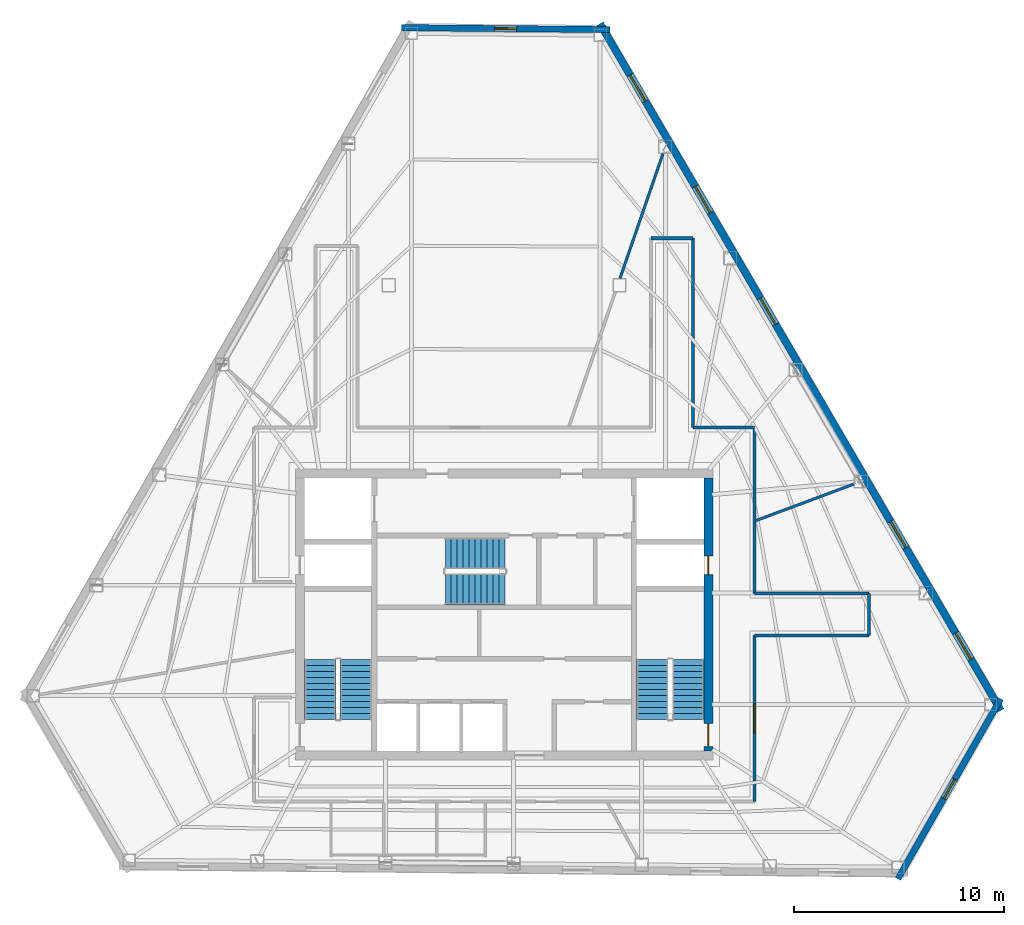
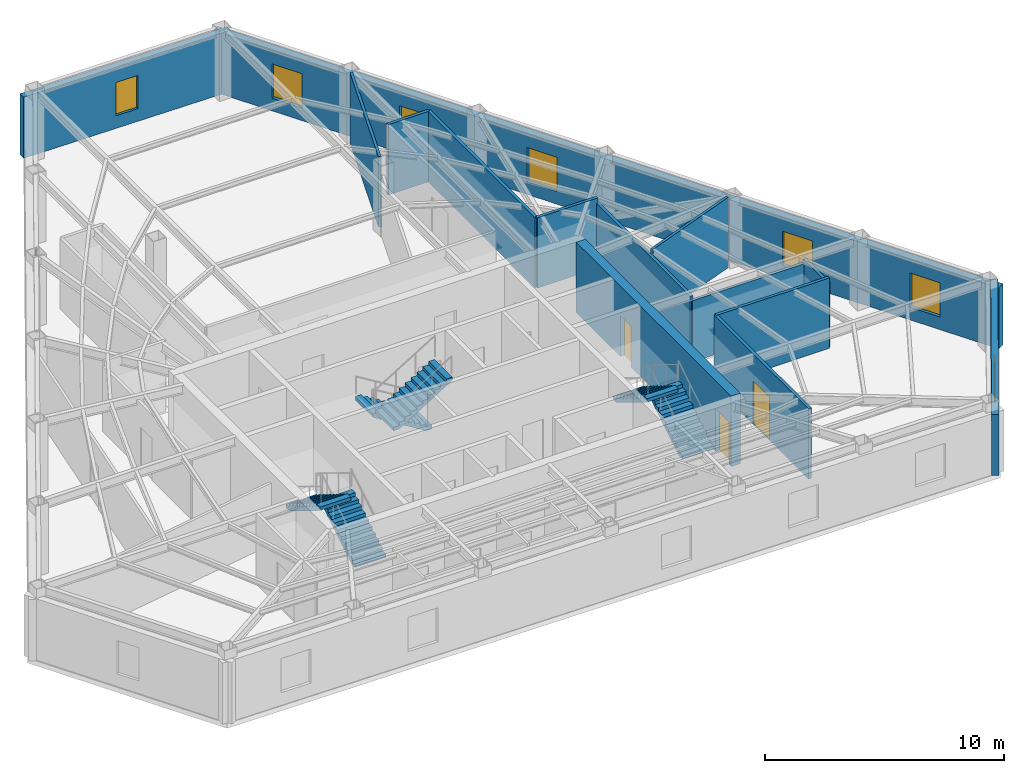
# One storey, part 9 of 10: 14 walls, 7 windows, 6 stair flights, 3 doors, 10 openings, 3 elements without a shape of their own.
"""IFC4 building model written with IfcOpenShell, lengths in metres."""

from ifc_helpers import new_model, si_unit, direction, frame, frame_2d, origin, place, context, subcontext, project, spatial, polyline, rectangle, outline, extrude, material, layer, layer_set, type_object, element, fill, aggregate, save


model = new_model("IFC4")

# Units and contexts
model_context = context("Model", 3, precision=1e-05, world=origin(), true_north=direction((0.0, 1.0)))
body_context = subcontext(model_context, "Body", "Model", "MODEL_VIEW")
ifc_project = project(units=[si_unit("LENGTHUNIT", "METRE"), si_unit("AREAUNIT", "SQUARE_METRE"), si_unit("VOLUMEUNIT", "CUBIC_METRE"), si_unit("PLANEANGLEUNIT", "RADIAN"), si_unit("MASSUNIT", "GRAM", prefix="KILO")], contexts=[model_context])

# Site, building, storey
site_placement = place(None, origin())
site = spatial("IfcSite", under=ifc_project, at=site_placement, CompositionType="ELEMENT")
building_placement = place(site_placement, origin())
building = spatial("IfcBuilding", under=site, at=building_placement, Name="Kavelnor Concourse Tower", CompositionType="ELEMENT")
storey_placement = place(building_placement, frame((0.0, 0.0, 180.39990234375)))
storey = spatial("IfcBuildingStorey", under=building, at=storey_placement, Name="L45", CompositionType="ELEMENT", Elevation=180.39990234375)

# Wall, openings, doors
ifc_material_1 = material(Name="Concrete C50/60", Category="concrete")
ifc_layer_1 = layer(ifc_material_1, 0.43994140625, Name="Concrete C50/60")
ifc_layer_set_1 = layer_set([ifc_layer_1], Name="Concrete C50/60")
wall_type_1 = type_object("IfcWallType", Name="WL-CORE-Z3-440", PredefinedType="SOLIDWALL", material=ifc_layer_set_1)
wall_1_placement = place(storey_placement, frame((47.739990234375, 9.60009765625, 0.0), z_axis=(0.0, 0.0, 1.0), x_axis=(0.0, 1.0, 0.0)))
wall_1 = element("IfcWall", 1, at=wall_1_placement, inside=storey, type_object=wall_type_1, Name="L45 Central Core East Shear Wall", PredefinedType="SOLIDWALL", context=body_context, shape_type="SweptSolid", body=[
    extrude(rectangle(XDim=13.0, YDim=0.43994140625, at=frame_2d((6.5, 0.0))), origin(), (0.0, 0.0, 1.0), 3.60009765625),
])
opening_1_placement = place(wall_1_placement, frame((0.199951171875, 0.0, 0.0)))
opening_1 = element("IfcOpeningElement", 2, at=opening_1_placement, cuts=wall_1, Name="Opening FD-110", PredefinedType="OPENING", context=body_context, shape_type="SweptSolid", body=[
    extrude(rectangle(XDim=1.10009765625, YDim=2.14990234375, at=frame_2d((0.550048828125, 1.074951171875))), frame((0.0, 0.22998046875, 0.0), z_axis=(0.0, -1.0, 0.0), x_axis=(1.0, 0.0, 0.0)), (0.0, 0.0, 1.0), 0.4599609375),
])
opening_2_placement = place(wall_1_placement, frame((8.39990234375, 0.0, 0.0)))
opening_2 = element("IfcOpeningElement", 3, at=opening_2_placement, cuts=wall_1, Name="Opening FD-090", PredefinedType="OPENING", context=body_context, shape_type="SweptSolid", body=[
    extrude(rectangle(XDim=0.89990234375, YDim=2.10009765625, at=frame_2d((0.449951171875, 1.050048828125))), frame((0.0, 0.22998046875, 0.0), z_axis=(0.0, -1.0, 0.0), x_axis=(1.0, 0.0, 0.0)), (0.0, 0.0, 1.0), 0.4599609375),
])
ifc_material_2 = material(Name="Steel Grade 350", Category="steel")
door_type_1 = type_object("IfcDoorType", Name="DR-RISER-FIRE-900", OperationType="NOTDEFINED", PredefinedType="DOOR", material=ifc_material_2)
door_1_placement = place(opening_2_placement, origin())
door_1 = element("IfcDoor", 4, at=door_1_placement, inside=storey, type_object=door_type_1, Name="L45 East Riser Access Door", OperationType="SINGLE_SWING_LEFT", OverallHeight=2.10009765625, OverallWidth=0.89990234375, PredefinedType="DOOR", context=body_context, shape_type="SweptSolid", body=[
    extrude(rectangle(XDim=0.89990234375, YDim=2.10009765625, at=frame_2d((0.449951171875, 1.050048828125))), frame((0.0, 0.02490234375, 0.0), z_axis=(0.0, -1.0, 0.0), x_axis=(1.0, 0.0, 0.0)), (0.0, 0.0, 1.0), 0.050048828125),
])
fill(opening_2, door_1)
door_type_2 = type_object("IfcDoorType", Name="DR-STAIR-FIRE-1100", OperationType="NOTDEFINED", PredefinedType="DOOR", material=ifc_material_2)
door_2_placement = place(opening_1_placement, origin())
door_2 = element("IfcDoor", 5, at=door_2_placement, inside=storey, type_object=door_type_2, Name="L45 Stair ST2 Fire Door", OperationType="SINGLE_SWING_RIGHT", OverallHeight=2.14990234375, OverallWidth=1.10009765625, PredefinedType="DOOR", context=body_context, shape_type="SweptSolid", body=[
    extrude(rectangle(XDim=1.10009765625, YDim=2.14990234375, at=frame_2d((0.550048828125, 1.074951171875))), frame((0.0, 0.02490234375, 0.0), z_axis=(0.0, -1.0, 0.0), x_axis=(1.0, 0.0, 0.0)), (0.0, 0.0, 1.0), 0.050048828125),
])
fill(opening_1, door_2)

# Wall, opening, window
ifc_material_3 = material(Name="Buff ironspot clay face brick masonry", Category="masonry")
ifc_layer_2 = layer(ifc_material_3, 0.300048828125, Name="Buff ironspot clay face brick masonry")
ifc_layer_set_2 = layer_set([ifc_layer_2], Name="Buff ironspot clay face brick masonry")
wall_type_2 = type_object("IfcWallType", Name="WL-EXT-BUFF-BRICK-FOLD-300", PredefinedType="STANDARD", material=ifc_layer_set_2)
wall_2_placement = place(storey_placement, frame((33.09326171875, 44.08447265625, 0.0), z_axis=(0.0, 0.0, 1.0), x_axis=(0.999957994936, -0.009165607679, 0.0)))
wall_2 = element("IfcWall", 6, at=wall_2_placement, inside=storey, type_object=wall_type_2, Name="L45 Exterior Brick Facade Wall E0", PredefinedType="STANDARD", context=body_context, shape_type="SweptSolid", body=[
    extrude(rectangle(XDim=9.962158203125, YDim=0.300048828125, at=frame_2d((4.98095703125, 0.0))), origin(), (0.0, 0.0, 1.0), 3.132080078125),
])
opening_3_placement = place(wall_2_placement, frame((4.4560546875, 0.0, 0.64990234375)))
opening_3 = element("IfcOpeningElement", 7, at=opening_3_placement, cuts=wall_2, Name="Opening W-06", PredefinedType="OPENING", context=body_context, shape_type="SweptSolid", body=[
    extrude(rectangle(XDim=1.050048828125, YDim=1.699951171875, at=frame_2d((0.52490234375, 0.85009765625))), frame((0.0, 0.16015625, 0.0), z_axis=(0.0, -1.0, 0.0), x_axis=(1.0, 0.0, 0.0)), (0.0, 0.0, 1.0), 0.320068359375),
])
ifc_material_4 = material(Name="Double low-E argon insulated glazing", Category="glass")
window_type_1 = type_object("IfcWindowType", Name="WIN-FOLD-1050", PartitioningType="SINGLE_PANEL", PredefinedType="WINDOW", material=ifc_material_4)
window_1_placement = place(opening_3_placement, origin())
window_1 = element("IfcWindow", 8, at=window_1_placement, inside=storey, type_object=window_type_1, Name="L45 Chamfer-Fold Facet Window C0", OverallHeight=1.699951171875, OverallWidth=1.050048828125, PartitioningType="SINGLE_PANEL", PredefinedType="WINDOW", context=body_context, shape_type="SweptSolid", body=[
    extrude(rectangle(XDim=1.050048828125, YDim=1.699951171875, at=frame_2d((0.52490234375, 0.85009765625))), frame((0.0, 0.030029296875, 0.0), z_axis=(0.0, -1.0, 0.0), x_axis=(1.0, 0.0, 0.0)), (0.0, 0.0, 1.0), 0.06005859375),
])
fill(opening_3, window_1)

wall_3_placement = place(storey_placement, frame((61.6787109375, 12.079345703125, 0.0), z_axis=(0.0, 0.0, 1.0), x_axis=(-0.495989996522, -0.8683282348, 0.0)))
wall_3 = element("IfcWall", 9, at=wall_3_placement, inside=storey, type_object=wall_type_2, Name="L45 Exterior Brick Facade Wall E4", PredefinedType="STANDARD", context=body_context, shape_type="SweptSolid", body=[
    extrude(rectangle(XDim=9.885986328125, YDim=0.300048828125, at=frame_2d((4.94287109375, 0.0))), origin(), (0.0, 0.0, 1.0), 3.132080078125),
])
opening_4_placement = place(wall_3_placement, frame((4.41796875, 0.0, 0.64990234375)))
opening_4 = element("IfcOpeningElement", 10, at=opening_4_placement, cuts=wall_3, Name="Opening W-06", PredefinedType="OPENING", context=body_context, shape_type="SweptSolid", body=[
    extrude(rectangle(XDim=1.050048828125, YDim=1.699951171875, at=frame_2d((0.52490234375, 0.85009765625))), frame((0.0, 0.16015625, 0.0), z_axis=(0.0, -1.0, 0.0), x_axis=(1.0, 0.0, 0.0)), (0.0, 0.0, 1.0), 0.320068359375),
])
window_2_placement = place(opening_4_placement, origin())
window_2 = element("IfcWindow", 11, at=window_2_placement, inside=storey, type_object=window_type_1, Name="L45 Chamfer-Fold Facet Window C2", OverallHeight=1.699951171875, OverallWidth=1.050048828125, PartitioningType="SINGLE_PANEL", PredefinedType="WINDOW", context=body_context, shape_type="SweptSolid", body=[
    extrude(rectangle(XDim=1.050048828125, YDim=1.699951171875, at=frame_2d((0.52490234375, 0.85009765625))), frame((0.0, 0.030029296875, 0.0), z_axis=(0.0, -1.0, 0.0), x_axis=(1.0, 0.0, 0.0)), (0.0, 0.0, 1.0), 0.06005859375),
])
fill(opening_4, window_2)

# Wall, openings, windows
ifc_material_5 = material(Name="Red-ochre clay face brick masonry", Category="masonry")
ifc_layer_3 = layer(ifc_material_5, 0.35009765625, Name="Red-ochre clay face brick masonry")
ifc_layer_set_3 = layer_set([ifc_layer_3], Name="Red-ochre clay face brick masonry")
wall_type_3 = type_object("IfcWallType", Name="WL-EXT-RED-BRICK-PIER-350", PredefinedType="STANDARD", material=ifc_layer_set_3)
wall_4_placement = place(storey_placement, frame((42.57470703125, 44.271728515625, 0.0), z_axis=(0.0, 0.0, 1.0), x_axis=(0.503934681705, -0.863741764982, 0.0)))
wall_4 = element("IfcWall", 12, at=wall_4_placement, inside=storey, type_object=wall_type_3, Name="L45 Exterior Brick Facade Wall E5", PredefinedType="STANDARD", context=body_context, shape_type="SweptSolid", body=[
    extrude(rectangle(XDim=37.9150390625, YDim=0.35009765625, at=frame_2d((18.95751953125, 0.0))), origin(), (0.0, 0.0, 1.0), 3.132080078125),
])
opening_5_placement = place(wall_4_placement, frame((33.632568359375, 0.0, 0.64990234375)))
opening_5 = element("IfcOpeningElement", 13, at=opening_5_placement, cuts=wall_4, Name="Opening W-03", PredefinedType="OPENING", context=body_context, shape_type="SweptSolid", body=[
    extrude(rectangle(XDim=1.449951171875, YDim=1.75, at=frame_2d((0.72509765625, 0.875))), frame((0.0, 0.18505859375, 0.0), z_axis=(0.0, -1.0, 0.0), x_axis=(1.0, 0.0, 0.0)), (0.0, 0.0, 1.0), 0.3701171875),
])
opening_6_placement = place(wall_4_placement, frame((27.4716796875, 0.0, 0.64990234375)))
opening_6 = element("IfcOpeningElement", 14, at=opening_6_placement, cuts=wall_4, Name="Opening W-03", PredefinedType="OPENING", context=body_context, shape_type="SweptSolid", body=[
    extrude(rectangle(XDim=1.449951171875, YDim=1.75, at=frame_2d((0.72509765625, 0.875))), frame((0.0, 0.18505859375, 0.0), z_axis=(0.0, -1.0, 0.0), x_axis=(1.0, 0.0, 0.0)), (0.0, 0.0, 1.0), 0.3701171875),
])
opening_7_placement = place(wall_4_placement, frame((15.14990234375, 0.0, 0.64990234375)))
opening_7 = element("IfcOpeningElement", 15, at=opening_7_placement, cuts=wall_4, Name="Opening W-03", PredefinedType="OPENING", context=body_context, shape_type="SweptSolid", body=[
    extrude(rectangle(XDim=1.449951171875, YDim=1.75, at=frame_2d((0.72509765625, 0.875))), frame((0.0, 0.18505859375, 0.0), z_axis=(0.0, -1.0, 0.0), x_axis=(1.0, 0.0, 0.0)), (0.0, 0.0, 1.0), 0.3701171875),
])
opening_8_placement = place(wall_4_placement, frame((8.989013671875, 0.0, 0.64990234375)))
opening_8 = element("IfcOpeningElement", 16, at=opening_8_placement, cuts=wall_4, Name="Opening W-03", PredefinedType="OPENING", context=body_context, shape_type="SweptSolid", body=[
    extrude(rectangle(XDim=1.449951171875, YDim=1.75, at=frame_2d((0.72509765625, 0.875))), frame((0.0, 0.18505859375, 0.0), z_axis=(0.0, -1.0, 0.0), x_axis=(1.0, 0.0, 0.0)), (0.0, 0.0, 1.0), 0.3701171875),
])
opening_9_placement = place(wall_4_placement, frame((2.828125, 0.0, 0.64990234375)))
opening_9 = element("IfcOpeningElement", 17, at=opening_9_placement, cuts=wall_4, Name="Opening W-03", PredefinedType="OPENING", context=body_context, shape_type="SweptSolid", body=[
    extrude(rectangle(XDim=1.449951171875, YDim=1.75, at=frame_2d((0.72509765625, 0.875))), frame((0.0, 0.18505859375, 0.0), z_axis=(0.0, -1.0, 0.0), x_axis=(1.0, 0.0, 0.0)), (0.0, 0.0, 1.0), 0.3701171875),
])
window_type_2 = type_object("IfcWindowType", Name="WIN-PIER-Z3-1500", PartitioningType="SINGLE_PANEL", PredefinedType="WINDOW", material=ifc_material_4)
window_3_placement = place(opening_5_placement, origin())
window_3 = element("IfcWindow", 18, at=window_3_placement, inside=storey, type_object=window_type_2, Name="L45 Deep-Set Brick Pier Window F2-B0", OverallHeight=1.75, OverallWidth=1.449951171875, PartitioningType="SINGLE_PANEL", PredefinedType="WINDOW", context=body_context, shape_type="SweptSolid", body=[
    extrude(rectangle(XDim=1.449951171875, YDim=1.75, at=frame_2d((0.72509765625, 0.875))), frame((0.0, 0.030029296875, 0.0), z_axis=(0.0, -1.0, 0.0), x_axis=(1.0, 0.0, 0.0)), (0.0, 0.0, 1.0), 0.06005859375),
])
fill(opening_5, window_3)
window_4_placement = place(opening_6_placement, origin())
window_4 = element("IfcWindow", 19, at=window_4_placement, inside=storey, type_object=window_type_2, Name="L45 Deep-Set Brick Pier Window F2-B1", OverallHeight=1.75, OverallWidth=1.449951171875, PartitioningType="SINGLE_PANEL", PredefinedType="WINDOW", context=body_context, shape_type="SweptSolid", body=[
    extrude(rectangle(XDim=1.449951171875, YDim=1.75, at=frame_2d((0.72509765625, 0.875))), frame((0.0, 0.030029296875, 0.0), z_axis=(0.0, -1.0, 0.0), x_axis=(1.0, 0.0, 0.0)), (0.0, 0.0, 1.0), 0.06005859375),
])
fill(opening_6, window_4)
window_5_placement = place(opening_7_placement, origin())
window_5 = element("IfcWindow", 20, at=window_5_placement, inside=storey, type_object=window_type_2, Name="L45 Deep-Set Brick Pier Window F2-B3", OverallHeight=1.75, OverallWidth=1.449951171875, PartitioningType="SINGLE_PANEL", PredefinedType="WINDOW", context=body_context, shape_type="SweptSolid", body=[
    extrude(rectangle(XDim=1.449951171875, YDim=1.75, at=frame_2d((0.72509765625, 0.875))), frame((0.0, 0.030029296875, 0.0), z_axis=(0.0, -1.0, 0.0), x_axis=(1.0, 0.0, 0.0)), (0.0, 0.0, 1.0), 0.06005859375),
])
fill(opening_7, window_5)
window_6_placement = place(opening_8_placement, origin())
window_6 = element("IfcWindow", 21, at=window_6_placement, inside=storey, type_object=window_type_2, Name="L45 Deep-Set Brick Pier Window F2-B4", OverallHeight=1.75, OverallWidth=1.449951171875, PartitioningType="SINGLE_PANEL", PredefinedType="WINDOW", context=body_context, shape_type="SweptSolid", body=[
    extrude(rectangle(XDim=1.449951171875, YDim=1.75, at=frame_2d((0.72509765625, 0.875))), frame((0.0, 0.030029296875, 0.0), z_axis=(0.0, -1.0, 0.0), x_axis=(1.0, 0.0, 0.0)), (0.0, 0.0, 1.0), 0.06005859375),
])
fill(opening_8, window_6)
window_7_placement = place(opening_9_placement, origin())
window_7 = element("IfcWindow", 22, at=window_7_placement, inside=storey, type_object=window_type_2, Name="L45 Deep-Set Brick Pier Window F2-B5", OverallHeight=1.75, OverallWidth=1.449951171875, PartitioningType="SINGLE_PANEL", PredefinedType="WINDOW", context=body_context, shape_type="SweptSolid", body=[
    extrude(rectangle(XDim=1.449951171875, YDim=1.75, at=frame_2d((0.72509765625, 0.875))), frame((0.0, 0.030029296875, 0.0), z_axis=(0.0, -1.0, 0.0), x_axis=(1.0, 0.0, 0.0)), (0.0, 0.0, 1.0), 0.06005859375),
])
fill(opening_9, window_7)

# Walls
ifc_material_6 = material(Name="Gypsum plasterboard on light-gauge steel studs", Category="steel")
ifc_layer_4 = layer(ifc_material_6, 0.14501953125, Name="Gypsum plasterboard on light-gauge steel studs")
ifc_layer_set_4 = layer_set([ifc_layer_4], Name="Gypsum plasterboard on light-gauge steel studs")
wall_type_4 = type_object("IfcWallType", Name="WL-INT-CORR-145", PredefinedType="PARTITIONING", material=ifc_layer_set_4)
wall_5_placement = place(storey_placement, frame((45.0, 34.04248046875, 0.0), z_axis=(0.0, 0.0, 1.0), x_axis=(1.0, 0.0, 0.0)))
element("IfcWall", 23, at=wall_5_placement, inside=storey, type_object=wall_type_4, Name="L45 Corridor Wall WL-L45-CR-09", PredefinedType="PARTITIONING", context=body_context, shape_type="SweptSolid", body=[
    extrude(rectangle(XDim=2.0, YDim=0.14501953125, at=frame_2d((1.0, 0.0))), origin(), (0.0, 0.0, 1.0), 3.60009765625),
])
wall_6_placement = place(storey_placement, frame((47.0, 34.04248046875, 0.0), z_axis=(0.0, 0.0, 1.0), x_axis=(0.0, -1.0, 0.0)))
element("IfcWall", 24, at=wall_6_placement, inside=storey, type_object=wall_type_4, Name="L45 Corridor Wall WL-L45-CR-10", PredefinedType="PARTITIONING", context=body_context, shape_type="SweptSolid", body=[
    extrude(rectangle(XDim=9.0224609375, YDim=0.14501953125, at=frame_2d((4.51123046875, 0.0))), origin(), (0.0, 0.0, 1.0), 3.60009765625),
])
wall_7_placement = place(storey_placement, frame((47.0, 25.02001953125, 0.0), z_axis=(0.0, 0.0, 1.0), x_axis=(1.0, 0.0, 0.0)))
element("IfcWall", 25, at=wall_7_placement, inside=storey, type_object=wall_type_4, Name="L45 Corridor Wall WL-L45-CR-11", PredefinedType="PARTITIONING", context=body_context, shape_type="SweptSolid", body=[
    extrude(rectangle(XDim=2.93994140625, YDim=0.14501953125, at=frame_2d((1.469970703125, 0.0))), origin(), (0.0, 0.0, 1.0), 3.60009765625),
])
wall_8_placement = place(storey_placement, frame((49.93994140625, 25.02001953125, 0.0), z_axis=(0.0, 0.0, 1.0), x_axis=(0.0, -1.0, 0.0)))
element("IfcWall", 26, at=wall_8_placement, inside=storey, type_object=wall_type_4, Name="L45 Corridor Wall WL-L45-CR-12", PredefinedType="PARTITIONING", context=body_context, shape_type="SweptSolid", body=[
    extrude(rectangle(XDim=7.919921875, YDim=0.14501953125, at=frame_2d((3.9599609375, 0.0))), origin(), (0.0, 0.0, 1.0), 3.339111328125),
])
wall_9_placement = place(storey_placement, frame((49.93994140625, 17.10009765625, 0.0), z_axis=(0.0, 0.0, 1.0), x_axis=(1.0, 0.0, 0.0)))
element("IfcWall", 27, at=wall_9_placement, inside=storey, type_object=wall_type_4, Name="L45 Corridor Wall WL-L45-CR-13", PredefinedType="PARTITIONING", context=body_context, shape_type="SweptSolid", body=[
    extrude(rectangle(XDim=5.4599609375, YDim=0.14501953125, at=frame_2d((2.72998046875, 0.0))), origin(), (0.0, 0.0, 1.0), 3.14111328125),
])
wall_10_placement = place(storey_placement, frame((55.39990234375, 17.10009765625, 0.0), z_axis=(0.0, 0.0, 1.0), x_axis=(0.0, -1.0, 0.0)))
element("IfcWall", 28, at=wall_10_placement, inside=storey, type_object=wall_type_4, Name="L45 Corridor Wall WL-L45-CR-14", PredefinedType="PARTITIONING", context=body_context, shape_type="SweptSolid", body=[
    extrude(rectangle(XDim=2.0, YDim=0.14501953125, at=frame_2d((1.0, 0.0))), origin(), (0.0, 0.0, 1.0), 3.339111328125),
])
wall_11_placement = place(storey_placement, frame((55.39990234375, 15.10009765625, 0.0), z_axis=(0.0, 0.0, 1.0), x_axis=(-1.0, 0.0, 0.0)))
element("IfcWall", 29, at=wall_11_placement, inside=storey, type_object=wall_type_4, Name="L45 Corridor Wall WL-L45-CR-15", PredefinedType="PARTITIONING", context=body_context, shape_type="SweptSolid", body=[
    extrude(rectangle(XDim=5.4599609375, YDim=0.14501953125, at=frame_2d((2.72998046875, 0.0))), origin(), (0.0, 0.0, 1.0), 3.60009765625),
])

# Wall, opening, door
wall_12_placement = place(storey_placement, frame((49.93994140625, 15.10009765625, 0.0), z_axis=(0.0, 0.0, 1.0), x_axis=(0.0, -1.0, 0.0)))
wall_12 = element("IfcWall", 30, at=wall_12_placement, inside=storey, type_object=wall_type_4, Name="L45 Corridor Wall WL-L45-CR-16", PredefinedType="PARTITIONING", context=body_context, shape_type="SweptSolid", body=[
    extrude(rectangle(XDim=7.920166015625, YDim=0.14501953125, at=frame_2d((3.9599609375, 0.0))), origin(), (0.0, 0.0, 1.0), 3.60009765625),
])
opening_10_placement = place(wall_12_placement, frame((3.260009765625, 0.0, 0.0)))
opening_10 = element("IfcOpeningElement", 31, at=opening_10_placement, cuts=wall_12, Name="Opening SD-140", PredefinedType="OPENING", context=body_context, shape_type="SweptSolid", body=[
    extrude(rectangle(XDim=1.39990234375, YDim=2.199951171875, at=frame_2d((0.699951171875, 1.10009765625))), frame((0.0, 0.08251953125, 0.0), z_axis=(0.0, -1.0, 0.0), x_axis=(1.0, 0.0, 0.0)), (0.0, 0.0, 1.0), 0.1650390625),
])
ifc_material_7 = material(Name="Solid-core hardwood timber", Category="wood")
door_type_3 = type_object("IfcDoorType", Name="DR-SUITE-ENTRY-1400", OperationType="NOTDEFINED", PredefinedType="DOOR", material=ifc_material_7)
door_3_placement = place(opening_10_placement, origin())
door_3 = element("IfcDoor", 32, at=door_3_placement, inside=storey, type_object=door_type_3, Name="L45 Staff Breakout Pantry 07 Door", OperationType="SINGLE_SWING_LEFT", OverallHeight=2.199951171875, OverallWidth=1.39990234375, PredefinedType="DOOR", context=body_context, shape_type="SweptSolid", body=[
    extrude(rectangle(XDim=1.39990234375, YDim=2.199951171875, at=frame_2d((0.699951171875, 1.10009765625))), frame((0.0, 0.02490234375, 0.0), z_axis=(0.0, -1.0, 0.0), x_axis=(1.0, 0.0, 0.0)), (0.0, 0.0, 1.0), 0.050048828125),
])
fill(opening_10, door_3)

# Walls
ifc_layer_5 = layer(ifc_material_6, 0.125, Name="Gypsum plasterboard on light-gauge steel studs")
ifc_layer_set_5 = layer_set([ifc_layer_5], Name="Gypsum plasterboard on light-gauge steel studs")
wall_type_5 = type_object("IfcWallType", Name="WL-INT-SUITE-125", PredefinedType="PARTITIONING", material=ifc_layer_set_5)
wall_13_placement = place(storey_placement, frame((50.0205078125, 20.584716796875, 0.0), z_axis=(0.0, 0.0, 1.0), x_axis=(0.936930245376, 0.349516402047, 0.0)))
element("IfcWall", 33, at=wall_13_placement, inside=storey, type_object=wall_type_5, Name="L45 Radial Suite Partition 01", PredefinedType="PARTITIONING", context=body_context, shape_type="SweptSolid", body=[
    extrude(rectangle(XDim=4.962890625, YDim=0.125, at=frame_2d((2.4814453125, 0.0))), origin(), (0.0, 0.0, 1.0), 3.60009765625),
])
wall_14_placement = place(storey_placement, frame((43.521484375, 32.1279296875, 0.0), z_axis=(0.0, 0.0, 1.0), x_axis=(0.325720467461, 0.945466116303, 0.0)))
element("IfcWall", 34, at=wall_14_placement, inside=storey, type_object=wall_type_5, Name="L45 Radial Suite Partition 02", PredefinedType="PARTITIONING", context=body_context, shape_type="SweptSolid", body=[
    extrude(rectangle(XDim=6.293212890625, YDim=0.125, at=frame_2d((3.146484375, 0.0))), origin(), (0.0, 0.0, 1.0), 3.60009765625),
])

# Stair, stair flights
ifc_material_8 = material(Name="Concrete C40/50", Category="concrete")
stair_type = type_object("IfcStairType", Name="STR-CORE-1500", PredefinedType="HALF_TURN_STAIR", material=ifc_material_8)
stair_1_placement = place(storey_placement, origin())
stair_1 = element("IfcStair", 35, at=stair_1_placement, inside=storey, type_object=stair_type, Name="L45 ST1", PredefinedType="HALF_TURN_STAIR")
stair_flight_type = type_object("IfcStairFlightType", Name="STR-FLIGHT-1500", PredefinedType="STRAIGHT", material=ifc_material_8)
stair_flight_1_placement = place(storey_placement, frame((30.929931640625, 11.10009765625, 0.0), z_axis=(0.0, 0.0, 1.0), x_axis=(0.0, 1.0, 0.0)))
stair_flight_1 = element("IfcStairFlight", 36, at=stair_flight_1_placement, type_object=stair_flight_type, Name="ST1 flight 1", NumberOfRisers=11, NumberOfTreads=10, PredefinedType="STRAIGHT", RiserHeight=0.175, TreadLength=0.285, context=body_context, shape_type="SweptSolid", body=[
    extrude(outline(polyline([(0.0, 0.0), (0.0, 0.175048828125), (0.284912109375, 0.175048828125), (0.284912109375, 0.35009765625), (0.570068359375, 0.35009765625), (0.570068359375, 0.52490234375), (0.85498046875, 0.52490234375), (0.85498046875, 0.699951171875), (1.139892578125, 0.699951171875), (1.139892578125, 0.875), (1.425048828125, 0.875), (1.425048828125, 1.050048828125), (1.7099609375, 1.050048828125), (1.7099609375, 1.22509765625), (1.9951171875, 1.22509765625), (1.9951171875, 1.39990234375), (2.280029296875, 1.39990234375), (2.280029296875, 1.574951171875), (2.56494140625, 1.574951171875), (2.56494140625, 1.75), (2.85009765625, 1.75), (2.85009765625, 1.925048828125), (2.85009765625, 1.573974609375), (0.286376953125, 0.0), (0.0, 0.0)])), frame((0.0, 0.75, 0.0), z_axis=(0.0, -1.0, 0.0), x_axis=(1.0, 0.0, 0.0)), (0.0, 0.0, 1.0), 1.5),
])
stair_flight_2_placement = place(storey_placement, frame((29.22998046875, 13.949951171875, 1.925048828125), z_axis=(0.0, 0.0, 1.0), x_axis=(0.0, -1.0, 0.0)))
stair_flight_2 = element("IfcStairFlight", 37, at=stair_flight_2_placement, type_object=stair_flight_type, Name="ST1 flight 2", NumberOfRisers=11, NumberOfTreads=10, PredefinedType="STRAIGHT", RiserHeight=0.175, TreadLength=0.285, context=body_context, shape_type="SweptSolid", body=[
    extrude(outline(polyline([(0.0, 0.0), (0.0, 0.175048828125), (0.284912109375, 0.175048828125), (0.284912109375, 0.35009765625), (0.570068359375, 0.35009765625), (0.570068359375, 0.52490234375), (0.85498046875, 0.52490234375), (0.85498046875, 0.699951171875), (1.139892578125, 0.699951171875), (1.139892578125, 0.875), (1.425048828125, 0.875), (1.425048828125, 1.050048828125), (1.7099609375, 1.050048828125), (1.7099609375, 1.22509765625), (1.9951171875, 1.22509765625), (1.9951171875, 1.39990234375), (2.280029296875, 1.39990234375), (2.280029296875, 1.574951171875), (2.56494140625, 1.574951171875), (2.56494140625, 1.75), (2.85009765625, 1.75), (2.85009765625, 1.925048828125), (2.85009765625, 1.573974609375), (0.286376953125, 0.0), (0.0, 0.0)])), frame((0.0, 0.75, 0.0), z_axis=(0.0, -1.0, 0.0), x_axis=(1.0, 0.0, 0.0)), (0.0, 0.0, 1.0), 1.5),
])
aggregate(stair_1, [stair_flight_1, stair_flight_2])

stair_2_placement = place(storey_placement, origin())
stair_2 = element("IfcStair", 38, at=stair_2_placement, inside=storey, type_object=stair_type, Name="L45 ST2", PredefinedType="HALF_TURN_STAIR")
stair_flight_3_placement = place(storey_placement, frame((46.77001953125, 11.10009765625, 0.0), z_axis=(0.0, 0.0, 1.0), x_axis=(0.0, 1.0, 0.0)))
stair_flight_3 = element("IfcStairFlight", 39, at=stair_flight_3_placement, type_object=stair_flight_type, Name="ST2 flight 1", NumberOfRisers=11, NumberOfTreads=10, PredefinedType="STRAIGHT", RiserHeight=0.175, TreadLength=0.285, context=body_context, shape_type="SweptSolid", body=[
    extrude(outline(polyline([(0.0, 0.0), (0.0, 0.175048828125), (0.284912109375, 0.175048828125), (0.284912109375, 0.35009765625), (0.570068359375, 0.35009765625), (0.570068359375, 0.52490234375), (0.85498046875, 0.52490234375), (0.85498046875, 0.699951171875), (1.139892578125, 0.699951171875), (1.139892578125, 0.875), (1.425048828125, 0.875), (1.425048828125, 1.050048828125), (1.7099609375, 1.050048828125), (1.7099609375, 1.22509765625), (1.9951171875, 1.22509765625), (1.9951171875, 1.39990234375), (2.280029296875, 1.39990234375), (2.280029296875, 1.574951171875), (2.56494140625, 1.574951171875), (2.56494140625, 1.75), (2.85009765625, 1.75), (2.85009765625, 1.925048828125), (2.85009765625, 1.573974609375), (0.286376953125, 0.0), (0.0, 0.0)])), frame((0.0, 0.75, 0.0), z_axis=(0.0, -1.0, 0.0), x_axis=(1.0, 0.0, 0.0)), (0.0, 0.0, 1.0), 1.5),
])
stair_flight_4_placement = place(storey_placement, frame((45.070068359375, 13.949951171875, 1.925048828125), z_axis=(0.0, 0.0, 1.0), x_axis=(0.0, -1.0, 0.0)))
stair_flight_4 = element("IfcStairFlight", 40, at=stair_flight_4_placement, type_object=stair_flight_type, Name="ST2 flight 2", NumberOfRisers=11, NumberOfTreads=10, PredefinedType="STRAIGHT", RiserHeight=0.175, TreadLength=0.285, context=body_context, shape_type="SweptSolid", body=[
    extrude(outline(polyline([(0.0, 0.0), (0.0, 0.175048828125), (0.284912109375, 0.175048828125), (0.284912109375, 0.35009765625), (0.570068359375, 0.35009765625), (0.570068359375, 0.52490234375), (0.85498046875, 0.52490234375), (0.85498046875, 0.699951171875), (1.139892578125, 0.699951171875), (1.139892578125, 0.875), (1.425048828125, 0.875), (1.425048828125, 1.050048828125), (1.7099609375, 1.050048828125), (1.7099609375, 1.22509765625), (1.9951171875, 1.22509765625), (1.9951171875, 1.39990234375), (2.280029296875, 1.39990234375), (2.280029296875, 1.574951171875), (2.56494140625, 1.574951171875), (2.56494140625, 1.75), (2.85009765625, 1.75), (2.85009765625, 1.925048828125), (2.85009765625, 1.573974609375), (0.286376953125, 0.0), (0.0, 0.0)])), frame((0.0, 0.75, 0.0), z_axis=(0.0, -1.0, 0.0), x_axis=(1.0, 0.0, 0.0)), (0.0, 0.0, 1.0), 1.5),
])
aggregate(stair_2, [stair_flight_3, stair_flight_4])

stair_3_placement = place(storey_placement, origin())
stair_3 = element("IfcStair", 41, at=stair_3_placement, inside=storey, type_object=stair_type, Name="L45 ST3", PredefinedType="HALF_TURN_STAIR")
stair_flight_5_placement = place(storey_placement, frame((38.0400390625, 19.010009765625, 0.0), z_axis=(0.0, 0.0, 1.0), x_axis=(-1.0, 0.0, 0.0)))
stair_flight_5 = element("IfcStairFlight", 42, at=stair_flight_5_placement, type_object=stair_flight_type, Name="ST3 flight 1", NumberOfRisers=11, NumberOfTreads=10, PredefinedType="STRAIGHT", RiserHeight=0.175, TreadLength=0.285, context=body_context, shape_type="SweptSolid", body=[
    extrude(outline(polyline([(0.0, 0.0), (0.0, 0.175048828125), (0.284912109375, 0.175048828125), (0.284912109375, 0.35009765625), (0.570068359375, 0.35009765625), (0.570068359375, 0.52490234375), (0.85498046875, 0.52490234375), (0.85498046875, 0.699951171875), (1.139892578125, 0.699951171875), (1.139892578125, 0.875), (1.425048828125, 0.875), (1.425048828125, 1.050048828125), (1.7099609375, 1.050048828125), (1.7099609375, 1.22509765625), (1.9951171875, 1.22509765625), (1.9951171875, 1.39990234375), (2.280029296875, 1.39990234375), (2.280029296875, 1.574951171875), (2.56494140625, 1.574951171875), (2.56494140625, 1.75), (2.85009765625, 1.75), (2.85009765625, 1.925048828125), (2.85009765625, 1.573974609375), (0.286376953125, 0.0), (0.0, 0.0)])), frame((0.0, 0.75, 0.0), z_axis=(0.0, -1.0, 0.0), x_axis=(1.0, 0.0, 0.0)), (0.0, 0.0, 1.0), 1.5),
])
stair_flight_6_placement = place(storey_placement, frame((35.18994140625, 17.31005859375, 1.925048828125), z_axis=(0.0, 0.0, 1.0), x_axis=(1.0, 0.0, 0.0)))
stair_flight_6 = element("IfcStairFlight", 43, at=stair_flight_6_placement, type_object=stair_flight_type, Name="ST3 flight 2", NumberOfRisers=11, NumberOfTreads=10, PredefinedType="STRAIGHT", RiserHeight=0.175, TreadLength=0.285, context=body_context, shape_type="SweptSolid", body=[
    extrude(outline(polyline([(0.0, 0.0), (0.0, 0.175048828125), (0.284912109375, 0.175048828125), (0.284912109375, 0.35009765625), (0.570068359375, 0.35009765625), (0.570068359375, 0.52490234375), (0.85498046875, 0.52490234375), (0.85498046875, 0.699951171875), (1.139892578125, 0.699951171875), (1.139892578125, 0.875), (1.425048828125, 0.875), (1.425048828125, 1.050048828125), (1.7099609375, 1.050048828125), (1.7099609375, 1.22509765625), (1.9951171875, 1.22509765625), (1.9951171875, 1.39990234375), (2.280029296875, 1.39990234375), (2.280029296875, 1.574951171875), (2.56494140625, 1.574951171875), (2.56494140625, 1.75), (2.85009765625, 1.75), (2.85009765625, 1.925048828125), (2.85009765625, 1.573974609375), (0.286376953125, 0.0), (0.0, 0.0)])), frame((0.0, 0.75, 0.0), z_axis=(0.0, -1.0, 0.0), x_axis=(1.0, 0.0, 0.0)), (0.0, 0.0, 1.0), 1.5),
])
aggregate(stair_3, [stair_flight_5, stair_flight_6])

save(model, "model.ifc")
